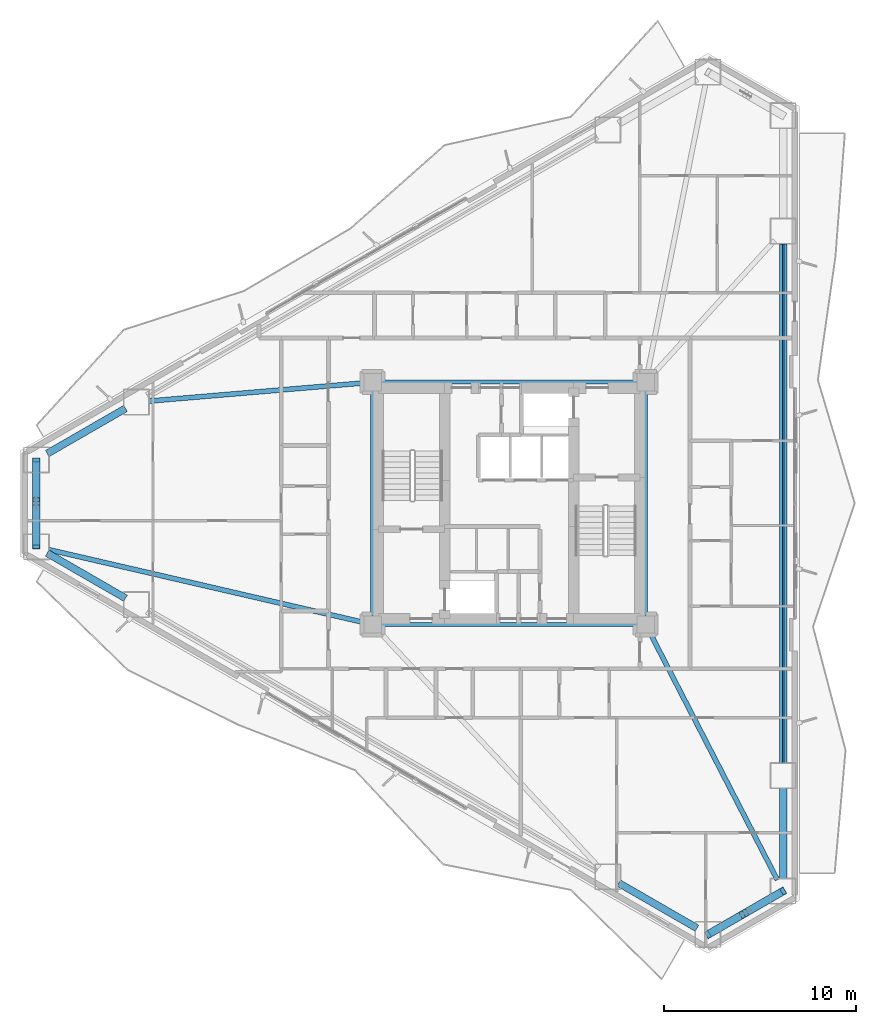
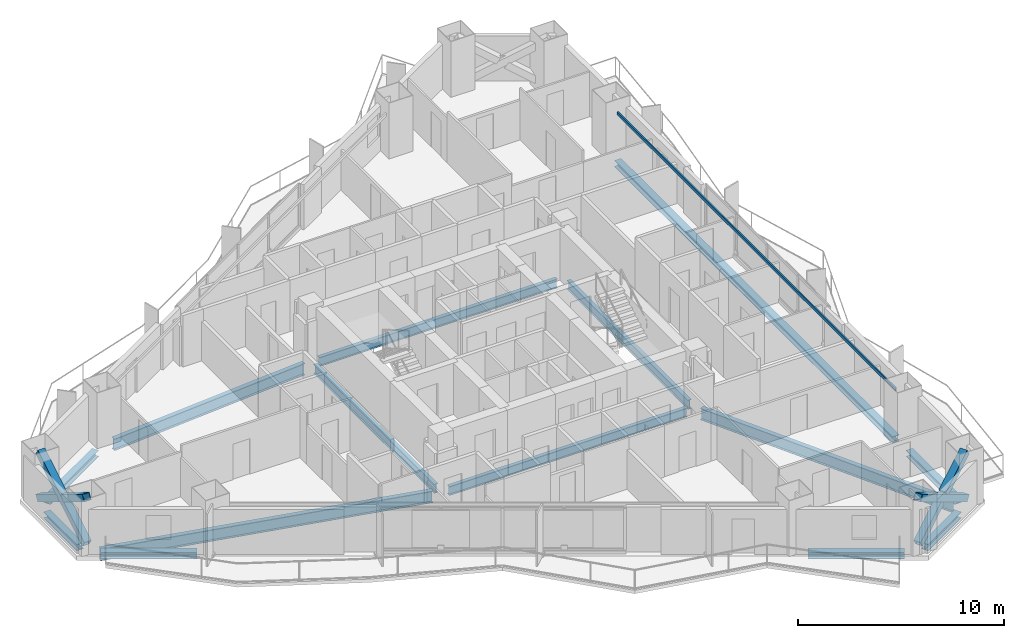
# One storey, part 5 of 19: 15 beams, 6 members.
"""IFC4 building model written with IfcOpenShell, lengths in metres."""

from ifc_helpers import new_model, si_unit, direction, frame, origin, origin_2d, place, context, subcontext, project, spatial, hollow_rectangle, i_section, extrude, material, material_profile, profile_set, type_object, element, save


model = new_model("IFC4")

# Units and contexts
model_context = context("Model", 3, precision=1e-05, world=origin(), true_north=direction((0.0, 1.0)))
body_context = subcontext(model_context, "Body", "Model", "MODEL_VIEW")
ifc_project = project(units=[si_unit("LENGTHUNIT", "METRE"), si_unit("AREAUNIT", "SQUARE_METRE"), si_unit("VOLUMEUNIT", "CUBIC_METRE"), si_unit("PLANEANGLEUNIT", "RADIAN"), si_unit("MASSUNIT", "GRAM", prefix="KILO")], contexts=[model_context])

# Site, building, storey
site_placement = place(None, origin())
site = spatial("IfcSite", under=ifc_project, at=site_placement, CompositionType="ELEMENT")
building_placement = place(site_placement, origin())
building = spatial("IfcBuilding", under=site, at=building_placement, Name="Mersakhor Tower and Convention Hall", CompositionType="ELEMENT")
storey_placement = place(building_placement, frame((0.0, 0.0, 25.800048828125)))
storey = spatial("IfcBuildingStorey", under=building, at=storey_placement, Name="L06", CompositionType="ELEMENT", Elevation=25.800048828125)

# Beams
ifc_material_1 = material(Name="Steel S355", Category="steel")
ifc_material_profile_1 = material_profile(ifc_material_1, i_section(OverallWidth=0.2099609375, OverallDepth=0.53662109375, WebThickness=0.0107421875, FlangeThickness=0.017333984375, at=origin_2d()), Name="UB 533x210x101")
ifc_profile_set_1 = profile_set([ifc_material_profile_1], Name="Steel S355")
beam_type_1 = type_object("IfcBeamType", Name="BM-FB-533", PredefinedType="BEAM", material=ifc_profile_set_1)
beam_1_placement = place(storey_placement, frame((21.89990234375, 20.8798828125, -0.528564453125), z_axis=(0.0, 1.0, 0.0), x_axis=(-1.0, 0.0, 0.0)))
element("IfcBeam", 1, at=beam_1_placement, inside=storey, type_object=beam_type_1, Name="L06 Core Ring Tie Beam CRB-1", PredefinedType="BEAM", context=body_context, shape_type="SweptSolid", body=[
    extrude(i_section(OverallWidth=0.2099609375, OverallDepth=0.53662109375, WebThickness=0.0107421875, FlangeThickness=0.017333984375, at=origin_2d()), origin(), (0.0, 0.0, 1.0), 11.740234375),
])
beam_2_placement = place(storey_placement, frame((22.330078125, 33.050048828125, -0.528564453125), z_axis=(1.0, 0.0, 0.0), x_axis=(0.0, 1.0, 0.0)))
element("IfcBeam", 2, at=beam_2_placement, inside=storey, type_object=beam_type_1, Name="L06 Core Ring Tie Beam CRB-2", PredefinedType="BEAM", context=body_context, shape_type="SweptSolid", body=[
    extrude(i_section(OverallWidth=0.2099609375, OverallDepth=0.53662109375, WebThickness=0.0107421875, FlangeThickness=0.017333984375, at=origin_2d()), origin(), (0.0, 0.0, 1.0), 13.33984375),
])
beam_3_placement = place(storey_placement, frame((36.10009765625, 32.6201171875, -0.528564453125), z_axis=(0.0, -1.0, 0.0), x_axis=(1.0, 0.0, 0.0)))
element("IfcBeam", 3, at=beam_3_placement, inside=storey, type_object=beam_type_1, Name="L06 Core Ring Tie Beam CRB-3", PredefinedType="BEAM", context=body_context, shape_type="SweptSolid", body=[
    extrude(i_section(OverallWidth=0.2099609375, OverallDepth=0.53662109375, WebThickness=0.0107421875, FlangeThickness=0.017333984375, at=origin_2d()), origin(), (0.0, 0.0, 1.0), 11.740234375),
])
beam_4_placement = place(storey_placement, frame((35.669921875, 20.449951171875, -0.528564453125), z_axis=(-1.0, 0.0, 0.0), x_axis=(0.0, -1.0, 0.0)))
element("IfcBeam", 4, at=beam_4_placement, inside=storey, type_object=beam_type_1, Name="L06 Core Ring Tie Beam CRB-4", PredefinedType="BEAM", context=body_context, shape_type="SweptSolid", body=[
    extrude(i_section(OverallWidth=0.2099609375, OverallDepth=0.53662109375, WebThickness=0.0107421875, FlangeThickness=0.017333984375, at=origin_2d()), origin(), (0.0, 0.0, 1.0), 13.33984375),
])
ifc_material_2 = material(Name="Steel S355", Category="steel")
ifc_material_profile_2 = material_profile(ifc_material_2, hollow_rectangle(XDim=0.080078125, YDim=0.179931640625, WallThickness=0.008056640625, at=origin_2d()), Name="RHS 180x80x8")
ifc_profile_set_2 = profile_set([ifc_material_profile_2], Name="Steel S355")
beam_type_2 = type_object("IfcBeamType", Name="BM-GRT-RHS180", PredefinedType="USERDEFINED", material=ifc_profile_set_2)
beam_5_placement = place(storey_placement, frame((43.25, 40.24951171875, 2.47998046875), z_axis=(0.0, -1.0, 0.0), x_axis=(1.0, 0.0, 0.0)))
element("IfcBeam", 5, at=beam_5_placement, inside=storey, type_object=beam_type_2, Name="L06 Facade Support Girt GRT-F2", ObjectType="GIRT", PredefinedType="USERDEFINED", context=body_context, shape_type="SweptSolid", body=[
    extrude(hollow_rectangle(XDim=0.080078125, YDim=0.179931640625, WallThickness=0.008056640625, at=origin_2d()), origin(), (0.0, 0.0, 1.0), 26.9990234375),
])
ifc_material_3 = material(Name="Steel S355", Category="steel")
ifc_material_profile_3 = material_profile(ifc_material_3, i_section(OverallWidth=0.25439453125, OverallDepth=0.6875, WebThickness=0.01318359375, FlangeThickness=0.02099609375, at=origin_2d()), Name="UB 686x254x152")
ifc_profile_set_3 = profile_set([ifc_material_profile_3], Name="Steel S355")
beam_type_3 = type_object("IfcBeamType", Name="BM-PR-686", PredefinedType="BEAM", material=ifc_profile_set_3)
beam_6_placement = place(storey_placement, frame((21.471435546875, 33.013916015625, -0.603759765625), z_axis=(-0.996458345442, -0.084087845732, 0.0), x_axis=(0.084087845732, -0.996458345442, 0.0)))
element("IfcBeam", 6, at=beam_6_placement, inside=storey, type_object=beam_type_3, Name="L06 Primary Floor Girder FG-1", PredefinedType="BEAM", context=body_context, shape_type="SweptSolid", body=[
    extrude(i_section(OverallWidth=0.25439453125, OverallDepth=0.6875, WebThickness=0.01318359375, FlangeThickness=0.02099609375, at=origin_2d()), origin(), (0.0, 0.0, 1.0), 11.241943359375),
])
beam_7_placement = place(storey_placement, frame((36.297119140625, 20.06787109375, -0.603759765625), z_axis=(0.458368239331, -0.888762373851, 0.0), x_axis=(0.888762373851, 0.458368239331, 0.0)))
element("IfcBeam", 7, at=beam_7_placement, inside=storey, type_object=beam_type_3, Name="L06 Primary Floor Girder FG-4", PredefinedType="BEAM", context=body_context, shape_type="SweptSolid", body=[
    extrude(i_section(OverallWidth=0.25439453125, OverallDepth=0.6875, WebThickness=0.01318359375, FlangeThickness=0.02099609375, at=origin_2d()), origin(), (0.0, 0.0, 1.0), 14.513671875),
])
beam_8_placement = place(storey_placement, frame((21.48095703125, 20.546875, -0.603759765625), z_axis=(-0.974327224334, 0.225136536175, 0.0), x_axis=(-0.225136536175, -0.974327224334, 0.0)))
element("IfcBeam", 8, at=beam_8_placement, inside=storey, type_object=beam_type_3, Name="L06 Primary Floor Girder FG-6", PredefinedType="BEAM", context=body_context, shape_type="SweptSolid", body=[
    extrude(i_section(OverallWidth=0.25439453125, OverallDepth=0.6875, WebThickness=0.01318359375, FlangeThickness=0.02099609375, at=origin_2d()), origin(), (0.0, 0.0, 1.0), 16.862548828125),
])
ifc_material_4 = material(Name="Steel S355", Category="steel")
ifc_material_profile_4 = material_profile(ifc_material_4, i_section(OverallWidth=0.374755859375, OverallDepth=0.37451171875, WebThickness=0.0166015625, FlangeThickness=0.027099609375, at=origin_2d()), Name="UC 356x368x202")
ifc_profile_set_4 = profile_set([ifc_material_profile_4], Name="Steel S355")
beam_type_4 = type_object("IfcBeamType", Name="BM-SPD-UC356", PredefinedType="SPANDREL", material=ifc_profile_set_4)
beam_9_placement = place(storey_placement, frame((4.980224609375, 29.3369140625, -0.447265625), z_axis=(0.86605407247, 0.499950341091, 0.0), x_axis=(-0.499950341091, 0.86605407247, 0.0)))
element("IfcBeam", 9, at=beam_9_placement, inside=storey, type_object=beam_type_4, Name="L06 Perimeter Spandrel Beam SPB-01", PredefinedType="SPANDREL", context=body_context, shape_type="SweptSolid", body=[
    extrude(i_section(OverallWidth=0.374755859375, OverallDepth=0.37451171875, WebThickness=0.0166015625, FlangeThickness=0.027099609375, at=origin_2d()), origin(), (0.0, 0.0, 1.0), 4.69873046875),
])
beam_10_placement = place(storey_placement, frame((43.25, 40.24951171875, -0.447265625), z_axis=(0.0, -1.0, 0.0), x_axis=(1.0, 0.0, 0.0)))
element("IfcBeam", 10, at=beam_10_placement, inside=storey, type_object=beam_type_4, Name="L06 Perimeter Spandrel Beam SPB-06", PredefinedType="SPANDREL", context=body_context, shape_type="SweptSolid", body=[
    extrude(i_section(OverallWidth=0.374755859375, OverallDepth=0.37451171875, WebThickness=0.0166015625, FlangeThickness=0.027099609375, at=origin_2d()), origin(), (0.0, 0.0, 1.0), 26.9990234375),
])
beam_11_placement = place(storey_placement, frame((43.25, 11.9404296875, -0.447265625), z_axis=(0.0, -1.0, 0.0), x_axis=(1.0, 0.0, 0.0)))
element("IfcBeam", 11, at=beam_11_placement, inside=storey, type_object=beam_type_4, Name="L06 Perimeter Spandrel Beam SPB-07", PredefinedType="SPANDREL", context=body_context, shape_type="SweptSolid", body=[
    extrude(i_section(OverallWidth=0.374755859375, OverallDepth=0.37451171875, WebThickness=0.0166015625, FlangeThickness=0.027099609375, at=origin_2d()), origin(), (0.0, 0.0, 1.0), 4.69873046875),
])
beam_12_placement = place(storey_placement, frame((42.682861328125, 6.25927734375, -0.447265625), z_axis=(-0.866038607556, -0.4999771297, 0.0), x_axis=(0.4999771297, -0.866038607556, 0.0)))
element("IfcBeam", 12, at=beam_12_placement, inside=storey, type_object=beam_type_4, Name="L06 Perimeter Spandrel Beam SPB-08", PredefinedType="SPANDREL", context=body_context, shape_type="SweptSolid", body=[
    extrude(i_section(OverallWidth=0.374755859375, OverallDepth=0.37451171875, WebThickness=0.0166015625, FlangeThickness=0.027099609375, at=origin_2d()), origin(), (0.0, 0.0, 1.0), 3.208740234375),
])
for number, where, z_axis, x_axis, name in (
    (13, (38.769775390625, 4.655029296875, -0.447265625), (-0.866031574723, 0.499989311469, 0.0), (-0.499989311469, -0.866031574723, 0.0), "L06 Perimeter Spandrel Beam SPB-09"),
    (14, (9.049560546875, 21.81396484375, -0.447265625), (-0.86605407247, 0.499950341091, 0.0), (-0.499950341091, -0.86605407247, 0.0), "L06 Perimeter Spandrel Beam SPB-11"),
):
    element("IfcBeam", number, at=place(storey_placement, frame(where, z_axis=z_axis, x_axis=x_axis)), inside=storey, type_object=beam_type_4, Name=name, PredefinedType="SPANDREL", context=body_context, shape_type="SweptSolid", body=[
        extrude(i_section(OverallWidth=0.374755859375, OverallDepth=0.37451171875, WebThickness=0.0166015625, FlangeThickness=0.027099609375, at=origin_2d()), origin(), (0.0, 0.0, 1.0), 4.69873046875),
    ])
beam_13_placement = place(storey_placement, frame((4.4130859375, 25.145751953125, -0.447265625), z_axis=(0.0, 1.0, 0.0), x_axis=(-1.0, 0.0, 0.0)))
element("IfcBeam", 15, at=beam_13_placement, inside=storey, type_object=beam_type_4, Name="L06 Perimeter Spandrel Beam SPB-12", PredefinedType="SPANDREL", context=body_context, shape_type="SweptSolid", body=[
    extrude(i_section(OverallWidth=0.374755859375, OverallDepth=0.37451171875, WebThickness=0.0166015625, FlangeThickness=0.027099609375, at=origin_2d()), origin(), (0.0, 0.0, 1.0), 3.20849609375),
])

# Members
ifc_material_5 = material(Name="Steel S460", Category="steel")
ifc_material_profile_5 = material_profile(ifc_material_5, hollow_rectangle(XDim=0.39990234375, YDim=0.39990234375, WallThickness=0.02490234375, at=origin_2d()), Name="SHS 400x400x25")
ifc_profile_set_5 = profile_set([ifc_material_profile_5], Name="Steel S460")
member_type = type_object("IfcMemberType", Name="MB-BRC-SHS400", PredefinedType="BRACE", material=ifc_profile_set_5)
member_1_placement = place(storey_placement, frame((43.25, 6.586669921875, 0.14990234375), z_axis=(-0.740507772322, -0.427542982597, 0.518512523632), x_axis=(0.500009315796, -0.86602002524, 0.0)))
element("IfcMember", 16, at=member_1_placement, inside=storey, type_object=member_type, Name="L06 Chamfer Braced Frame Diagonal CB-2A", PredefinedType="BRACE", context=body_context, shape_type="SweptSolid", body=[
    extrude(hollow_rectangle(XDim=0.39990234375, YDim=0.39990234375, WallThickness=0.02490234375, at=origin_2d()), origin(), (0.0, 0.0, 1.0), 5.284423828125),
])
member_2_placement = place(storey_placement, frame((39.3369140625, 4.327392578125, 0.14990234375), z_axis=(0.740473193976, 0.427601478974, 0.51851366827), x_axis=(-0.500078132948, 0.865980289006, 0.0)))
element("IfcMember", 17, at=member_2_placement, inside=storey, type_object=member_type, Name="L06 Chamfer Braced Frame Diagonal CB-2B Lower Half", PredefinedType="BRACE", context=body_context, shape_type="SweptSolid", body=[
    extrude(hollow_rectangle(XDim=0.39990234375, YDim=0.39990234375, WallThickness=0.02490234375, at=origin_2d()), origin(), (0.0, 0.0, 1.0), 2.408935546875),
])
member_3_placement = place(storey_placement, frame((41.46630859375, 5.556884765625, 1.64111328125), z_axis=(0.740544200614, 0.427541122117, 0.51846202931), x_axis=(-0.499989236795, 0.866031617834, 0.0)))
element("IfcMember", 18, at=member_3_placement, inside=storey, type_object=member_type, Name="L06 Chamfer Braced Frame Diagonal CB-2B Upper Half", PredefinedType="BRACE", context=body_context, shape_type="SweptSolid", body=[
    extrude(hollow_rectangle(XDim=0.39990234375, YDim=0.39990234375, WallThickness=0.02490234375, at=origin_2d()), origin(), (0.0, 0.0, 1.0), 2.40869140625),
])
member_4_placement = place(storey_placement, frame((4.4130859375, 24.49072265625, 0.14990234375), z_axis=(0.0, 0.855074317009, 0.51850546033), x_axis=(-1.0, 0.0, 0.0)))
element("IfcMember", 19, at=member_4_placement, inside=storey, type_object=member_type, Name="L06 Chamfer Braced Frame Diagonal CB-3A", PredefinedType="BRACE", context=body_context, shape_type="SweptSolid", body=[
    extrude(hollow_rectangle(XDim=0.39990234375, YDim=0.39990234375, WallThickness=0.02490234375, at=origin_2d()), origin(), (0.0, 0.0, 1.0), 5.284423828125),
])
for number, where, z_axis, x_axis, name in (
    (20, (4.4130859375, 29.00927734375, 0.14990234375), (0.0, -0.855050764291, 0.518544299444), (1.0, 0.0, 0.0), "L06 Chamfer Braced Frame Diagonal CB-3B Lower Half"),
    (21, (4.4130859375, 26.55029296875, 1.64111328125), (0.0, -0.855095703444, 0.518470190032), (1.0, 0.0, 0.0), "L06 Chamfer Braced Frame Diagonal CB-3B Upper Half"),
):
    element("IfcMember", number, at=place(storey_placement, frame(where, z_axis=z_axis, x_axis=x_axis)), inside=storey, type_object=member_type, Name=name, PredefinedType="BRACE", context=body_context, shape_type="SweptSolid", body=[
        extrude(hollow_rectangle(XDim=0.39990234375, YDim=0.39990234375, WallThickness=0.02490234375, at=origin_2d()), origin(), (0.0, 0.0, 1.0), 2.40869140625),
    ])

save(model, "model.ifc")
